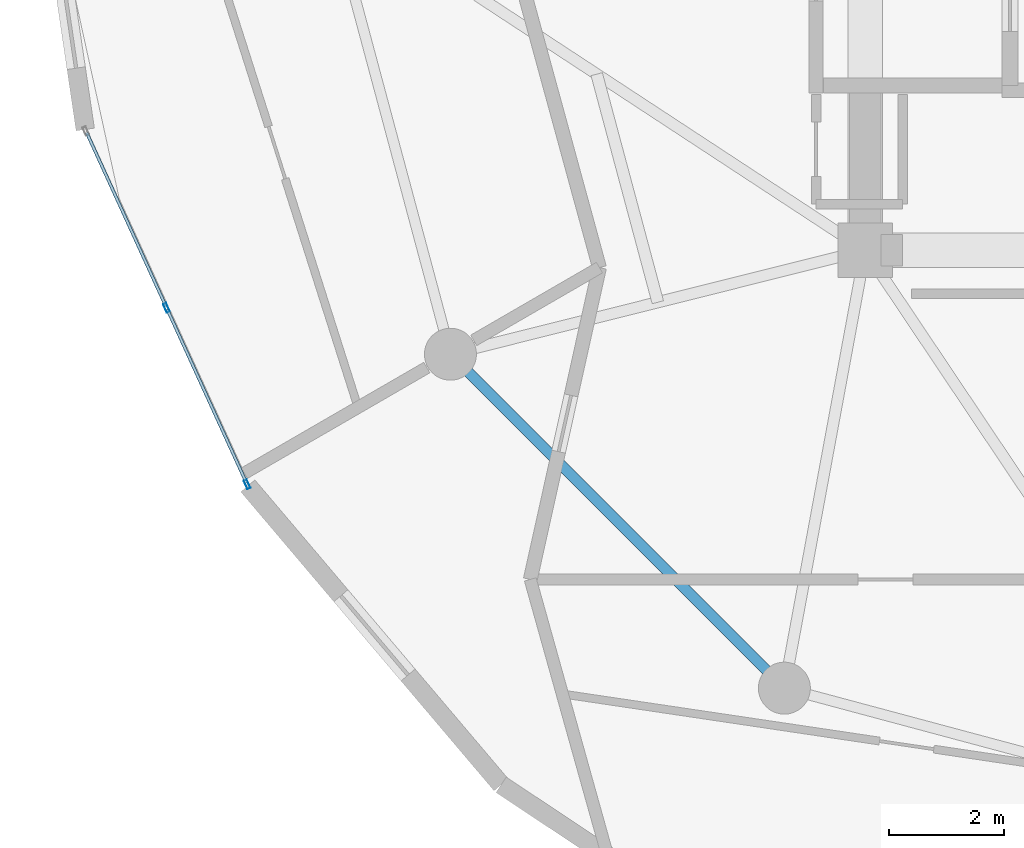
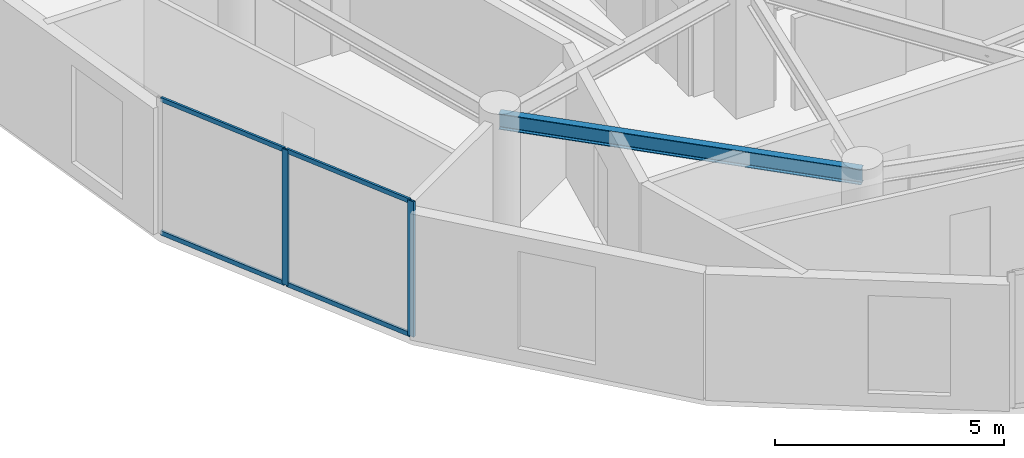
# One storey, part 3 of 24: 6 members, 1 beam, 1 element without a shape of its own.
"""IFC4 building model written with IfcOpenShell, lengths in metres."""

import ifcopenshell
import ifcopenshell.guid

model = None  # the IFC model being written
_history = None  # IfcOwnerHistory: only IFC2X3 demands one
_inside = {}  # id of a spatial element -> (the spatial element, [elements in it])
_under = {}  # id of a project, library or spatial element -> (it, [spatial elements below it])
_declared = {}  # id of a project -> (the project, [libraries it declares])
_typed = {}  # id of a type object -> (the type object, [elements of that type])
_made_of = {}  # id of a material, layer set ... -> (it, [elements and type objects made of it])


def new_model(schema):
    """Start an empty IFC model of exactly this schema.

    Asked for "IFC4X3", IfcOpenShell would pick the latest addendum, in which some entities
    have other attributes; the version numbers below select the first issue.
    IFC2X3 requires an IfcOwnerHistory on every rooted entity: one is made here for all.
    """
    global model, _history
    if schema == "IFC4X3":
        model = ifcopenshell.file(schema_version=(4, 3, 0, 0))
    else:
        model = ifcopenshell.file(schema=schema)
    _inside.clear()
    _under.clear()
    _declared.clear()
    _typed.clear()
    _made_of.clear()
    _history = None
    if model.schema == "IFC2X3":
        org = make("IfcOrganization", Name="unknown")
        user = make(
            "IfcPersonAndOrganization",
            ThePerson=make("IfcPerson", FamilyName="unknown"),
            TheOrganization=org,
        )
        app = make(
            "IfcApplication",
            ApplicationDeveloper=org,
            Version="unknown",
            ApplicationFullName="unknown",
            ApplicationIdentifier="unknown",
        )
        _history = make(
            "IfcOwnerHistory",
            OwningUser=user,
            OwningApplication=app,
            ChangeAction="ADDED",
            CreationDate=0,
        )
    return model


def make(cls, **values):
    """One entity of the class cls with the attributes given. An attribute that is None is left unset."""
    return model.create_entity(
        cls, **{name: value for name, value in values.items() if value is not None}
    )


def rooted(cls, **values):
    """An entity with a GlobalId (a new one), such as an element, a storey or a relation."""
    return make(cls, GlobalId=ifcopenshell.guid.new(), OwnerHistory=_history, **values)


def si_unit(unit_type, name, prefix=None):
    """IfcSIUnit, for example si_unit("LENGTHUNIT", "METRE", prefix="MILLI")."""
    return make("IfcSIUnit", UnitType=unit_type, Prefix=prefix, Name=name)


def assignment(units):
    """IfcUnitAssignment: the units of a project."""
    return None if units is None else make("IfcUnitAssignment", Units=units)


def point(xyz):
    """IfcCartesianPoint."""
    return None if xyz is None else make("IfcCartesianPoint", Coordinates=xyz)


def direction(xyz):
    """IfcDirection."""
    return None if xyz is None else make("IfcDirection", DirectionRatios=xyz)


def frame(location, z_axis=None, x_axis=None):
    """IfcAxis2Placement3D, a coordinate frame: its origin and axes. An axis left out is left unset."""
    return make(
        "IfcAxis2Placement3D",
        Location=point(location),
        Axis=direction(z_axis),
        RefDirection=direction(x_axis),
    )


def frame_2d(location, x_axis=None):
    """IfcAxis2Placement2D, a coordinate frame in the plane: its origin and x axis."""
    return make(
        "IfcAxis2Placement2D", Location=point(location), RefDirection=direction(x_axis)
    )


def origin():
    """The frame at (0, 0, 0) with its axes left unset."""
    return frame((0.0, 0.0, 0.0))


def origin_2d():
    """The frame at (0, 0) in the plane with its x axis left unset."""
    return frame_2d((0.0, 0.0))


def place(relative_to, where):
    """IfcLocalPlacement: puts the frame where relative to a parent placement (None: the world)."""
    return make(
        "IfcLocalPlacement", PlacementRelTo=relative_to, RelativePlacement=where
    )


def context(
    kind, dimensions, precision=None, world=None, true_north=None, identifier=None
):
    """IfcGeometricRepresentationContext, for example the 3D "Model" context."""
    return make(
        "IfcGeometricRepresentationContext",
        ContextIdentifier=identifier,
        ContextType=kind,
        CoordinateSpaceDimension=dimensions,
        Precision=precision,
        WorldCoordinateSystem=world,
        TrueNorth=true_north,
    )


def subcontext(parent, identifier, kind, view, scale=None):
    """IfcGeometricRepresentationSubContext, for example "Body" below "Model"."""
    return make(
        "IfcGeometricRepresentationSubContext",
        ContextIdentifier=identifier,
        ContextType=kind,
        ParentContext=parent,
        TargetScale=scale,
        TargetView=view,
    )


def project(units=None, contexts=None):
    """IfcProject with its units and contexts."""
    return rooted(
        "IfcProject",
        Name="project",
        RepresentationContexts=contexts,
        UnitsInContext=assignment(units),
    )


def spatial(cls, under=None, at=None, **own):
    """A site, building, storey or space (cls), placed at a placement, below another one or the project."""
    s = rooted(cls, ObjectPlacement=at, **own)
    if under is not None:
        _under.setdefault(under.id(), (under, []))[1].append(s)
    return s


def profile(cls, at=None, kind="AREA", **sizes):
    """A parametric profile (cls). Its sizes go by their IFC names, for example OverallWidth=200.0."""
    return make(cls, ProfileType=kind, Position=at, **sizes)


def hollow_rectangle(**sizes):
    """IfcRectangleHollowProfileDef."""
    return profile("IfcRectangleHollowProfileDef", **sizes)


def i_section(**sizes):
    """IfcIShapeProfileDef."""
    return profile("IfcIShapeProfileDef", **sizes)


def extrude(swept, where, along, depth):
    """IfcExtrudedAreaSolid: the profile swept, set in the frame where, extruded along a direction by depth."""
    return make(
        "IfcExtrudedAreaSolid",
        SweptArea=swept,
        Position=where,
        ExtrudedDirection=direction(along),
        Depth=depth,
    )


def shape(context_of_items, identifier, shape_type, items):
    """IfcShapeRepresentation: the items that make up one representation, for example the "Body"."""
    return make(
        "IfcShapeRepresentation",
        ContextOfItems=context_of_items,
        RepresentationIdentifier=identifier,
        RepresentationType=shape_type,
        Items=items,
    )


def source(mapping_origin, context_of_items, identifier, shape_type, items):
    """IfcRepresentationMap: a shape defined once, which mapped items show again and again."""
    return make(
        "IfcRepresentationMap",
        MappingOrigin=mapping_origin,
        MappedRepresentation=shape(context_of_items, identifier, shape_type, items),
    )


def transform(
    local_origin,
    x_axis=None,
    y_axis=None,
    z_axis=None,
    scale=None,
    scale2=None,
    scale3=None,
    uniform=True,
):
    """IfcCartesianTransformationOperator3D, or its non-uniform kind. x_axis, y_axis, z_axis: its Axis1, 2, 3."""
    if uniform:
        return make(
            "IfcCartesianTransformationOperator3D",
            Axis1=direction(x_axis),
            Axis2=direction(y_axis),
            LocalOrigin=point(local_origin),
            Scale=scale,
            Axis3=direction(z_axis),
        )
    return make(
        "IfcCartesianTransformationOperator3DnonUniform",
        Axis1=direction(x_axis),
        Axis2=direction(y_axis),
        LocalOrigin=point(local_origin),
        Scale=scale,
        Axis3=direction(z_axis),
        Scale2=scale2,
        Scale3=scale3,
    )


def mapped(mapping_source, mapping_target):
    """IfcMappedItem: shows the shape of a source again, moved by a transform."""
    return make(
        "IfcMappedItem", MappingSource=mapping_source, MappingTarget=mapping_target
    )


def material(Name=None, Category=None):
    """IfcMaterial."""
    return make("IfcMaterial", Name=Name, Category=Category)


def layer(
    of_material, thickness, ventilated=None, Name=None, Category=None, Priority=None
):
    """IfcMaterialLayer: one layer of a wall or slab, of a material (None: an air gap)."""
    return make(
        "IfcMaterialLayer",
        Material=of_material,
        LayerThickness=thickness,
        IsVentilated=ventilated,
        Name=Name,
        Category=Category,
        Priority=Priority,
    )


def layer_set(layers, Name=None):
    """IfcMaterialLayerSet."""
    return make("IfcMaterialLayerSet", MaterialLayers=layers, LayerSetName=Name)


def material_profile(
    of_material, cross_section, Name=None, Category=None, Priority=None
):
    """IfcMaterialProfile: a cross section and its material."""
    return make(
        "IfcMaterialProfile",
        Name=Name,
        Material=of_material,
        Profile=cross_section,
        Priority=Priority,
        Category=Category,
    )


def profile_set(profiles, Name=None, composite=None):
    """IfcMaterialProfileSet."""
    return make(
        "IfcMaterialProfileSet",
        Name=Name,
        MaterialProfiles=profiles,
        CompositeProfile=composite,
    )


def made_of(thing, what):
    """Note that an element or type object is made of a material, layer set ...; save() writes the relation."""
    if what is not None:
        _made_of.setdefault(what.id(), (what, []))[1].append(thing)
    return thing


def type_object(cls, material=None, **own):
    """A type object (cls), such as IfcWallType, which elements share."""
    return made_of(rooted(cls, **own), material)


def element(
    cls,
    number,
    at=None,
    inside=None,
    cuts=None,
    type_object=None,
    material=None,
    context=None,
    identifier="Body",
    shape_type=None,
    held_by="IfcProductDefinitionShape",
    body=None,
    shapes=None,
    **own,
):
    """One element of the class cls, such as IfcWall. Its Tag is "e" and its number.

    at: its placement. inside: the storey or other place that contains it. cuts: it is an
    opening in that element (IfcRelVoidsElement). A single representation is given by context,
    identifier, shape_type and body (its items); several are given by shapes. held_by: the class
    of the entity that holds the representations. save() writes the other relations.
    """
    e = rooted(cls, Tag="e%d" % number, ObjectPlacement=at, **own)
    if body is not None:
        shapes = [shape(context, identifier, shape_type, body)]
    if shapes is not None:
        e.Representation = make(held_by, Representations=shapes)
    if inside is not None:
        _inside.setdefault(inside.id(), (inside, []))[1].append(e)
    if cuts is not None:
        rooted(
            "IfcRelVoidsElement", RelatingBuildingElement=cuts, RelatedOpeningElement=e
        )
    if type_object is not None:
        _typed.setdefault(type_object.id(), (type_object, []))[1].append(e)
    return made_of(e, material)


def aggregate(whole, parts):
    """IfcRelAggregates: a whole, such as a stair, and the parts it consists of."""
    return rooted("IfcRelAggregates", RelatingObject=whole, RelatedObjects=parts)


def save(model, path):
    """Write the relations noted so far, then the file.

    IfcRelAggregates (storeys below a building ...), IfcRelContainedInSpatialStructure (elements
    in a storey), IfcRelDefinesByType, IfcRelAssociatesMaterial and IfcRelDeclares: one each for
    every whole, place, type object, material and project.
    """
    for whole, parts in _under.values():
        aggregate(whole, parts)
    for where, things in _inside.values():
        rooted(
            "IfcRelContainedInSpatialStructure",
            RelatedElements=things,
            RelatingStructure=where,
        )
    for kind, things in _typed.values():
        rooted("IfcRelDefinesByType", RelatedObjects=things, RelatingType=kind)
    for what, things in _made_of.values():
        rooted("IfcRelAssociatesMaterial", RelatedObjects=things, RelatingMaterial=what)
    for by, libraries in _declared.values():
        rooted("IfcRelDeclares", RelatingContext=by, RelatedDefinitions=libraries)
    model.write(path)


model = new_model("IFC4")

# Units and contexts
model_context = context("Model", 3, precision=1e-05, world=origin(), true_north=direction((0.0, 1.0)))
body_context = subcontext(model_context, "Body", "Model", "MODEL_VIEW")
ifc_project = project(units=[si_unit("LENGTHUNIT", "METRE"), si_unit("AREAUNIT", "SQUARE_METRE"), si_unit("VOLUMEUNIT", "CUBIC_METRE"), si_unit("PLANEANGLEUNIT", "RADIAN"), si_unit("MASSUNIT", "GRAM", prefix="KILO")], contexts=[model_context])

# Site, building, storey
site_placement = place(None, origin())
site = spatial("IfcSite", under=ifc_project, at=site_placement, CompositionType="ELEMENT")
building_placement = place(site_placement, origin())
building = spatial("IfcBuilding", under=site, at=building_placement, Name="Solvirekh Grand Hotel", CompositionType="ELEMENT")
storey_placement = place(building_placement, frame((0.0, 0.0, 184.0)))
storey = spatial("IfcBuildingStorey", under=building, at=storey_placement, Name="L47", CompositionType="ELEMENT", Elevation=184.0)

# Beam
ifc_material_1 = material(Name="Steel S355", Category="steel")
ifc_material_profile_1 = material_profile(ifc_material_1, i_section(OverallWidth=0.180908203125, OverallDepth=0.4169921875, WebThickness=0.010009765625, FlangeThickness=0.01611328125, FilletRadius=0.011962890625, at=origin_2d()), Name="W410X85")
ifc_profile_set_1 = profile_set([ifc_material_profile_1], Name="Steel S355")
beam_type = type_object("IfcBeamType", Name="Spandrel_Ring_W410", PredefinedType="SPANDREL", material=ifc_profile_set_1)
beam_placement = place(storey_placement, frame((-13.68310546875, -7.89990234375, 3.152099609375), z_axis=(0.707106781187, -0.707106781187, 0.0), x_axis=(0.707106781187, 0.707106781187, 0.0)))
element("IfcBeam", 1, at=beam_placement, inside=storey, type_object=beam_type, Name="L47 perimeter spandrel beam 8", PredefinedType="SPANDREL", context=body_context, shape_type="SweptSolid", body=[
    extrude(i_section(OverallWidth=0.180908203125, OverallDepth=0.4169921875, WebThickness=0.010009765625, FlangeThickness=0.01611328125, FilletRadius=0.011962890625, at=origin_2d()), origin(), (0.0, 0.0, 1.0), 8.1787109375),
])

# Curtain wall, members
ifc_material_2 = material(Name="Anodized Bronze Aluminium 6063-T6", Category="aluminium")
ifc_layer = layer(ifc_material_2, 0.159912109375)
ifc_layer_set = layer_set([ifc_layer], Name="Anodized Bronze Aluminium 6063-T6")
curtain_wall_type = type_object("IfcCurtainWallType", Name="CW_Sys4_HighZoneFlushBronzeCW", PredefinedType="NOTDEFINED", material=ifc_layer_set)
curtain_wall_placement = place(storey_placement, origin())
curtain_wall = element("IfcCurtainWall", 2, at=curtain_wall_placement, inside=storey, type_object=curtain_wall_type, Name="L47 unitised bronze-glass curtain wall CW-L47-C15", PredefinedType="NOTDEFINED")
ifc_material_profile_2 = material_profile(ifc_material_2, hollow_rectangle(XDim=0.06005859375, YDim=0.159912109375, WallThickness=0.0048828125, at=origin_2d()), Name="ALU RHS 160X60X5")
ifc_profile_set_2 = profile_set([ifc_material_profile_2], Name="Anodized Bronze Aluminium 6063-T6")
member_type_1 = type_object("IfcMemberType", Name="CWMullion_Sys4", PredefinedType="MULLION", material=ifc_profile_set_2)
shared_shape_1 = source(origin(), body_context, "Body", "SweptSolid", [
    extrude(hollow_rectangle(XDim=0.06005859375, YDim=0.159912109375, WallThickness=0.0048828125, at=origin_2d()), origin(), (0.0, 0.0, 1.0), 3.60009765625),
])
member_1_placement = place(storey_placement, frame((-18.60009765625, -7.094482421875, 0.0), z_axis=(0.0, 0.0, 1.0), x_axis=(0.909805379515, 0.415035144784, 0.0)))
member_1 = element("IfcMember", 3, at=member_1_placement, type_object=member_type_1, Name="U04 mullion 2", PredefinedType="MULLION", context=body_context, shape_type="MappedRepresentation", body=[
    mapped(shared_shape_1, transform((0.0, 0.0, 0.0), x_axis=(1.0, 0.0, 0.0), y_axis=(0.0, 1.0, 0.0), z_axis=(0.0, 0.0, 1.0), scale=1.0)),
])
member_2_placement = place(storey_placement, frame((-17.204345703125, -10.15380859375, 0.0), z_axis=(0.0, 0.0, 1.0), x_axis=(0.909805379515, 0.415035144784, 0.0)))
member_2 = element("IfcMember", 4, at=member_2_placement, type_object=member_type_1, Name="U04 mullion 3", PredefinedType="MULLION", context=body_context, shape_type="MappedRepresentation", body=[
    mapped(shared_shape_1, transform((0.0, 0.0, 0.0), x_axis=(1.0, 0.0, 0.0), y_axis=(0.0, 1.0, 0.0), z_axis=(0.0, 0.0, 1.0), scale=1.0)),
])
ifc_material_profile_3 = material_profile(ifc_material_2, hollow_rectangle(XDim=0.054931640625, YDim=0.1201171875, WallThickness=0.00390625, at=origin_2d()), Name="ALU RHS 120X55X4")
ifc_profile_set_3 = profile_set([ifc_material_profile_3], Name="Anodized Bronze Aluminium 6063-T6")
member_type_2 = type_object("IfcMemberType", Name="CWTransom_Sys4", PredefinedType="USERDEFINED", material=ifc_profile_set_3)
shared_shape_2 = source(origin(), body_context, "Body", "SweptSolid", [
    extrude(hollow_rectangle(XDim=0.054931640625, YDim=0.1201171875, WallThickness=0.00390625, at=origin_2d()), origin(), (0.0, 0.0, 1.0), 3.302490234375),
])
member_3_placement = place(storey_placement, frame((-19.983154296875, -4.0625, 0.027587890625), z_axis=(0.415022357124, -0.909811212883, 0.0), x_axis=(0.909811212883, 0.415022357124, 0.0)))
member_3 = element("IfcMember", 5, at=member_3_placement, type_object=member_type_2, Name="U04 transom 1.1", ObjectType="TRANSOM", PredefinedType="USERDEFINED", context=body_context, shape_type="MappedRepresentation", body=[
    mapped(shared_shape_2, transform((0.0, 0.0, 0.0), x_axis=(1.0, 0.0, 0.0), y_axis=(0.0, 1.0, 0.0), z_axis=(0.0, 0.0, 1.0), scale=1.0)),
])
member_4_placement = place(storey_placement, frame((-19.983154296875, -4.0625, 3.572509765625), z_axis=(0.415022357124, -0.909811212883, 0.0), x_axis=(0.909811212883, 0.415022357124, 0.0)))
member_4 = element("IfcMember", 6, at=member_4_placement, type_object=member_type_2, Name="U04 transom 1.2", ObjectType="TRANSOM", PredefinedType="USERDEFINED", context=body_context, shape_type="MappedRepresentation", body=[
    mapped(shared_shape_2, transform((0.0, 0.0, 0.0), x_axis=(1.0, 0.0, 0.0), y_axis=(0.0, 1.0, 0.0), z_axis=(0.0, 0.0, 1.0), scale=1.0)),
])
member_5_placement = place(storey_placement, frame((-18.587646484375, -7.121826171875, 0.027587890625), z_axis=(0.415083547295, -0.909783297695, 0.0), x_axis=(0.909783297695, 0.415083547295, 0.0)))
member_5 = element("IfcMember", 7, at=member_5_placement, type_object=member_type_2, Name="U04 transom 2.1", ObjectType="TRANSOM", PredefinedType="USERDEFINED", context=body_context, shape_type="MappedRepresentation", body=[
    mapped(shared_shape_2, transform((0.0, 0.0, 0.0), x_axis=(1.0, 0.0, 0.0), y_axis=(0.0, 1.0, 0.0), z_axis=(0.0, 0.0, 1.0), scale=1.0)),
])
member_6_placement = place(storey_placement, frame((-18.587646484375, -7.121826171875, 3.572509765625), z_axis=(0.415083547295, -0.909783297695, 0.0), x_axis=(0.909783297695, 0.415083547295, 0.0)))
member_6 = element("IfcMember", 8, at=member_6_placement, type_object=member_type_2, Name="U04 transom 2.2", ObjectType="TRANSOM", PredefinedType="USERDEFINED", context=body_context, shape_type="MappedRepresentation", body=[
    mapped(shared_shape_2, transform((0.0, 0.0, 0.0), x_axis=(1.0, 0.0, 0.0), y_axis=(0.0, 1.0, 0.0), z_axis=(0.0, 0.0, 1.0), scale=1.0)),
])
aggregate(curtain_wall, [member_1, member_2, member_3, member_4, member_5, member_6])

save(model, "model.ifc")
